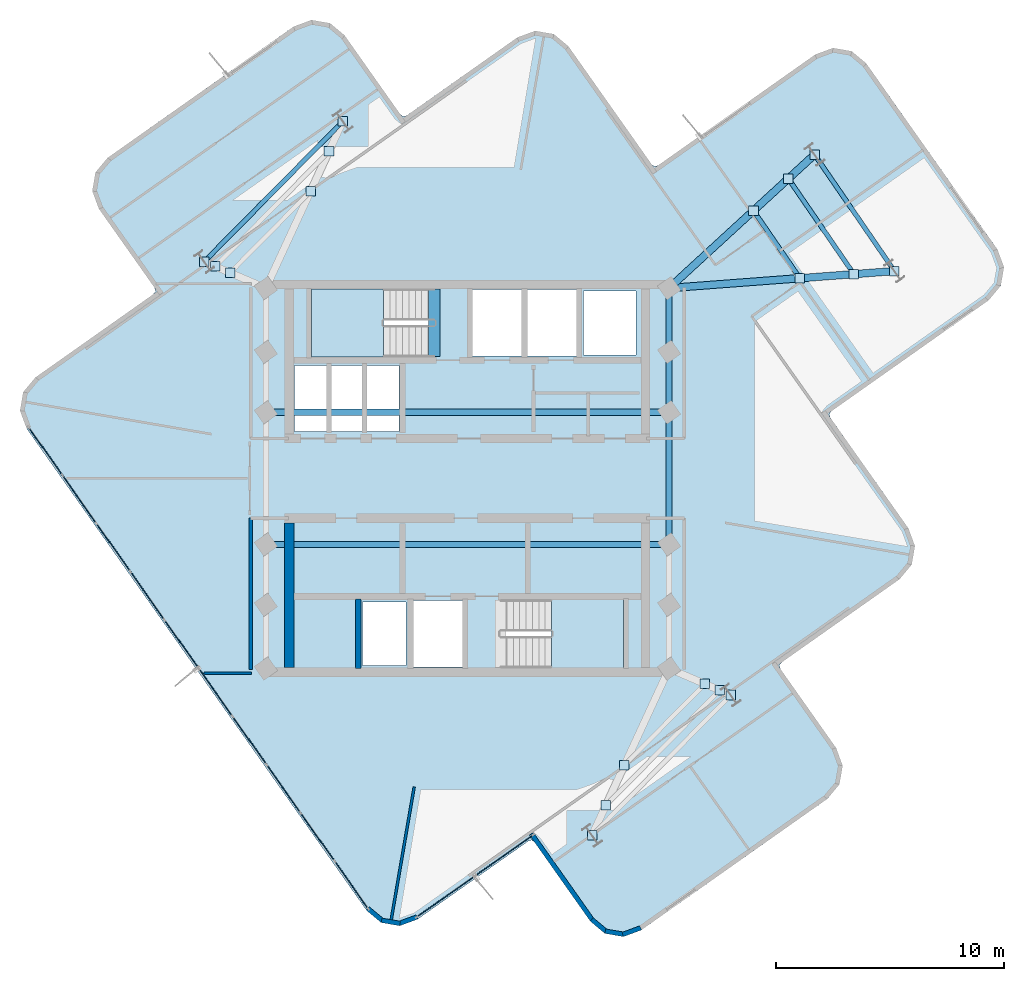
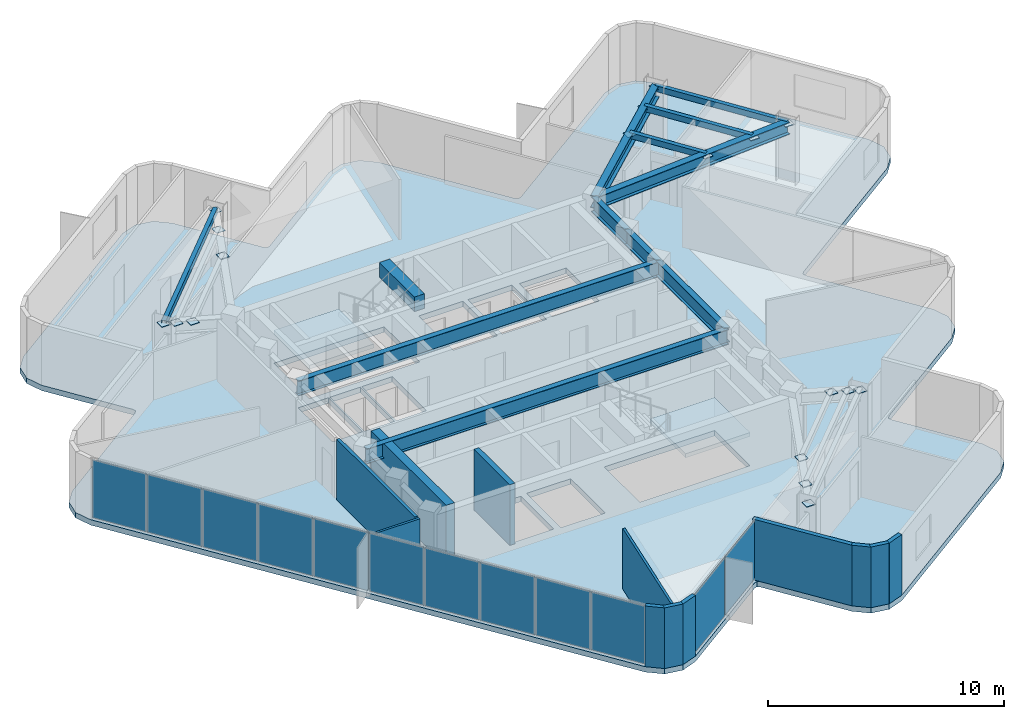
# One storey, part 4 of 9: 30 plates, 12 beams, 12 walls, 3 slabs, 4 elements without a shape of their own.
"""IFC4 building model written with IfcOpenShell, lengths in metres."""

import ifcopenshell
import ifcopenshell.guid

model = None  # the IFC model being written
_history = None  # IfcOwnerHistory: only IFC2X3 demands one
_inside = {}  # id of a spatial element -> (the spatial element, [elements in it])
_under = {}  # id of a project, library or spatial element -> (it, [spatial elements below it])
_declared = {}  # id of a project -> (the project, [libraries it declares])
_typed = {}  # id of a type object -> (the type object, [elements of that type])
_made_of = {}  # id of a material, layer set ... -> (it, [elements and type objects made of it])


def new_model(schema):
    """Start an empty IFC model of exactly this schema.

    Asked for "IFC4X3", IfcOpenShell would pick the latest addendum, in which some entities
    have other attributes; the version numbers below select the first issue.
    IFC2X3 requires an IfcOwnerHistory on every rooted entity: one is made here for all.
    """
    global model, _history
    if schema == "IFC4X3":
        model = ifcopenshell.file(schema_version=(4, 3, 0, 0))
    else:
        model = ifcopenshell.file(schema=schema)
    _inside.clear()
    _under.clear()
    _declared.clear()
    _typed.clear()
    _made_of.clear()
    _history = None
    if model.schema == "IFC2X3":
        org = make("IfcOrganization", Name="unknown")
        user = make(
            "IfcPersonAndOrganization",
            ThePerson=make("IfcPerson", FamilyName="unknown"),
            TheOrganization=org,
        )
        app = make(
            "IfcApplication",
            ApplicationDeveloper=org,
            Version="unknown",
            ApplicationFullName="unknown",
            ApplicationIdentifier="unknown",
        )
        _history = make(
            "IfcOwnerHistory",
            OwningUser=user,
            OwningApplication=app,
            ChangeAction="ADDED",
            CreationDate=0,
        )
    return model


def make(cls, **values):
    """One entity of the class cls with the attributes given. An attribute that is None is left unset."""
    return model.create_entity(
        cls, **{name: value for name, value in values.items() if value is not None}
    )


def rooted(cls, **values):
    """An entity with a GlobalId (a new one), such as an element, a storey or a relation."""
    return make(cls, GlobalId=ifcopenshell.guid.new(), OwnerHistory=_history, **values)


def si_unit(unit_type, name, prefix=None):
    """IfcSIUnit, for example si_unit("LENGTHUNIT", "METRE", prefix="MILLI")."""
    return make("IfcSIUnit", UnitType=unit_type, Prefix=prefix, Name=name)


def assignment(units):
    """IfcUnitAssignment: the units of a project."""
    return None if units is None else make("IfcUnitAssignment", Units=units)


def point(xyz):
    """IfcCartesianPoint."""
    return None if xyz is None else make("IfcCartesianPoint", Coordinates=xyz)


def direction(xyz):
    """IfcDirection."""
    return None if xyz is None else make("IfcDirection", DirectionRatios=xyz)


def frame(location, z_axis=None, x_axis=None):
    """IfcAxis2Placement3D, a coordinate frame: its origin and axes. An axis left out is left unset."""
    return make(
        "IfcAxis2Placement3D",
        Location=point(location),
        Axis=direction(z_axis),
        RefDirection=direction(x_axis),
    )


def frame_2d(location, x_axis=None):
    """IfcAxis2Placement2D, a coordinate frame in the plane: its origin and x axis."""
    return make(
        "IfcAxis2Placement2D", Location=point(location), RefDirection=direction(x_axis)
    )


def origin():
    """The frame at (0, 0, 0) with its axes left unset."""
    return frame((0.0, 0.0, 0.0))


def origin_2d():
    """The frame at (0, 0) in the plane with its x axis left unset."""
    return frame_2d((0.0, 0.0))


def place(relative_to, where):
    """IfcLocalPlacement: puts the frame where relative to a parent placement (None: the world)."""
    return make(
        "IfcLocalPlacement", PlacementRelTo=relative_to, RelativePlacement=where
    )


def context(
    kind, dimensions, precision=None, world=None, true_north=None, identifier=None
):
    """IfcGeometricRepresentationContext, for example the 3D "Model" context."""
    return make(
        "IfcGeometricRepresentationContext",
        ContextIdentifier=identifier,
        ContextType=kind,
        CoordinateSpaceDimension=dimensions,
        Precision=precision,
        WorldCoordinateSystem=world,
        TrueNorth=true_north,
    )


def subcontext(parent, identifier, kind, view, scale=None):
    """IfcGeometricRepresentationSubContext, for example "Body" below "Model"."""
    return make(
        "IfcGeometricRepresentationSubContext",
        ContextIdentifier=identifier,
        ContextType=kind,
        ParentContext=parent,
        TargetScale=scale,
        TargetView=view,
    )


def project(units=None, contexts=None):
    """IfcProject with its units and contexts."""
    return rooted(
        "IfcProject",
        Name="project",
        RepresentationContexts=contexts,
        UnitsInContext=assignment(units),
    )


def spatial(cls, under=None, at=None, **own):
    """A site, building, storey or space (cls), placed at a placement, below another one or the project."""
    s = rooted(cls, ObjectPlacement=at, **own)
    if under is not None:
        _under.setdefault(under.id(), (under, []))[1].append(s)
    return s


def polyline(points):
    """IfcPolyline through the points."""
    return make("IfcPolyline", Points=[point(p) for p in points])


def profile(cls, at=None, kind="AREA", **sizes):
    """A parametric profile (cls). Its sizes go by their IFC names, for example OverallWidth=200.0."""
    return make(cls, ProfileType=kind, Position=at, **sizes)


def rectangle(**sizes):
    """IfcRectangleProfileDef."""
    return profile("IfcRectangleProfileDef", **sizes)


def hollow_rectangle(**sizes):
    """IfcRectangleHollowProfileDef."""
    return profile("IfcRectangleHollowProfileDef", **sizes)


def i_section(**sizes):
    """IfcIShapeProfileDef."""
    return profile("IfcIShapeProfileDef", **sizes)


def outline(outer, holes=None, kind="AREA"):
    """IfcArbitraryClosedProfileDef: a profile drawn as a closed curve; with holes, ...WithVoids."""
    if holes is None:
        return make("IfcArbitraryClosedProfileDef", ProfileType=kind, OuterCurve=outer)
    return make(
        "IfcArbitraryProfileDefWithVoids",
        ProfileType=kind,
        OuterCurve=outer,
        InnerCurves=holes,
    )


def extrude(swept, where, along, depth):
    """IfcExtrudedAreaSolid: the profile swept, set in the frame where, extruded along a direction by depth."""
    return make(
        "IfcExtrudedAreaSolid",
        SweptArea=swept,
        Position=where,
        ExtrudedDirection=direction(along),
        Depth=depth,
    )


def shape(context_of_items, identifier, shape_type, items):
    """IfcShapeRepresentation: the items that make up one representation, for example the "Body"."""
    return make(
        "IfcShapeRepresentation",
        ContextOfItems=context_of_items,
        RepresentationIdentifier=identifier,
        RepresentationType=shape_type,
        Items=items,
    )


def material(Name=None, Category=None):
    """IfcMaterial."""
    return make("IfcMaterial", Name=Name, Category=Category)


def layer(
    of_material, thickness, ventilated=None, Name=None, Category=None, Priority=None
):
    """IfcMaterialLayer: one layer of a wall or slab, of a material (None: an air gap)."""
    return make(
        "IfcMaterialLayer",
        Material=of_material,
        LayerThickness=thickness,
        IsVentilated=ventilated,
        Name=Name,
        Category=Category,
        Priority=Priority,
    )


def layer_set(layers, Name=None):
    """IfcMaterialLayerSet."""
    return make("IfcMaterialLayerSet", MaterialLayers=layers, LayerSetName=Name)


def material_profile(
    of_material, cross_section, Name=None, Category=None, Priority=None
):
    """IfcMaterialProfile: a cross section and its material."""
    return make(
        "IfcMaterialProfile",
        Name=Name,
        Material=of_material,
        Profile=cross_section,
        Priority=Priority,
        Category=Category,
    )


def profile_set(profiles, Name=None, composite=None):
    """IfcMaterialProfileSet."""
    return make(
        "IfcMaterialProfileSet",
        Name=Name,
        MaterialProfiles=profiles,
        CompositeProfile=composite,
    )


def made_of(thing, what):
    """Note that an element or type object is made of a material, layer set ...; save() writes the relation."""
    if what is not None:
        _made_of.setdefault(what.id(), (what, []))[1].append(thing)
    return thing


def type_object(cls, material=None, **own):
    """A type object (cls), such as IfcWallType, which elements share."""
    return made_of(rooted(cls, **own), material)


def element(
    cls,
    number,
    at=None,
    inside=None,
    cuts=None,
    type_object=None,
    material=None,
    context=None,
    identifier="Body",
    shape_type=None,
    held_by="IfcProductDefinitionShape",
    body=None,
    shapes=None,
    **own,
):
    """One element of the class cls, such as IfcWall. Its Tag is "e" and its number.

    at: its placement. inside: the storey or other place that contains it. cuts: it is an
    opening in that element (IfcRelVoidsElement). A single representation is given by context,
    identifier, shape_type and body (its items); several are given by shapes. held_by: the class
    of the entity that holds the representations. save() writes the other relations.
    """
    e = rooted(cls, Tag="e%d" % number, ObjectPlacement=at, **own)
    if body is not None:
        shapes = [shape(context, identifier, shape_type, body)]
    if shapes is not None:
        e.Representation = make(held_by, Representations=shapes)
    if inside is not None:
        _inside.setdefault(inside.id(), (inside, []))[1].append(e)
    if cuts is not None:
        rooted(
            "IfcRelVoidsElement", RelatingBuildingElement=cuts, RelatedOpeningElement=e
        )
    if type_object is not None:
        _typed.setdefault(type_object.id(), (type_object, []))[1].append(e)
    return made_of(e, material)


def aggregate(whole, parts):
    """IfcRelAggregates: a whole, such as a stair, and the parts it consists of."""
    return rooted("IfcRelAggregates", RelatingObject=whole, RelatedObjects=parts)


def save(model, path):
    """Write the relations noted so far, then the file.

    IfcRelAggregates (storeys below a building ...), IfcRelContainedInSpatialStructure (elements
    in a storey), IfcRelDefinesByType, IfcRelAssociatesMaterial and IfcRelDeclares: one each for
    every whole, place, type object, material and project.
    """
    for whole, parts in _under.values():
        aggregate(whole, parts)
    for where, things in _inside.values():
        rooted(
            "IfcRelContainedInSpatialStructure",
            RelatedElements=things,
            RelatingStructure=where,
        )
    for kind, things in _typed.values():
        rooted("IfcRelDefinesByType", RelatedObjects=things, RelatingType=kind)
    for what, things in _made_of.values():
        rooted("IfcRelAssociatesMaterial", RelatedObjects=things, RelatingMaterial=what)
    for by, libraries in _declared.values():
        rooted("IfcRelDeclares", RelatingContext=by, RelatedDefinitions=libraries)
    model.write(path)


model = new_model("IFC4")

# Units and contexts
model_context = context("Model", 3, precision=1e-05, world=origin(), true_north=direction((0.0, 1.0)))
body_context = subcontext(model_context, "Body", "Model", "MODEL_VIEW")
ifc_project = project(units=[si_unit("LENGTHUNIT", "METRE"), si_unit("AREAUNIT", "SQUARE_METRE"), si_unit("VOLUMEUNIT", "CUBIC_METRE"), si_unit("PLANEANGLEUNIT", "RADIAN"), si_unit("MASSUNIT", "GRAM", prefix="KILO")], contexts=[model_context])

# Site, building, storey
site_placement = place(None, origin())
site = spatial("IfcSite", under=ifc_project, at=site_placement, CompositionType="ELEMENT")
building_placement = place(site_placement, origin())
building = spatial("IfcBuilding", under=site, at=building_placement, Name="Solmarez Civic Tower", CompositionType="ELEMENT")
storey_placement = place(building_placement, frame((0.0, 0.0, 222.300048828125)))
storey = spatial("IfcBuildingStorey", under=building, at=storey_placement, Name="L59", CompositionType="ELEMENT", Elevation=222.300048828125)

# Beams
ifc_material_1 = material(Name="Steel S355", Category="steel")
ifc_material_profile_1 = material_profile(ifc_material_1, hollow_rectangle(XDim=0.199951171875, YDim=0.300048828125, WallThickness=0.011962890625, at=origin_2d()), Name="HSS300X200X12")
ifc_profile_set_1 = profile_set([ifc_material_profile_1], Name="Steel S355")
beam_type_1 = type_object("IfcBeamType", Name="BM-JS-HSS300X200", PredefinedType="JOIST", material=ifc_profile_set_1)
beam_1_placement = place(storey_placement, frame((18.740966796875, 9.096923828125, 2.989990234375), z_axis=(-0.565711253315, 0.824603406416, 0.0), x_axis=(-0.824603406416, -0.565711253315, 0.0)))
element("IfcBeam", 1, at=beam_1_placement, inside=storey, type_object=beam_type_1, Name="L59 Secondary Floor Joist BM-L59-EA-T1", PredefinedType="JOIST", context=body_context, shape_type="SweptSolid", body=[
    extrude(hollow_rectangle(XDim=0.199951171875, YDim=0.300048828125, WallThickness=0.011962890625, at=origin_2d()), origin(), (0.0, 0.0, 1.0), 6.199462890625),
])
beam_2_placement = place(storey_placement, frame((14.5869140625, 8.782958984375, 2.989990234375), z_axis=(-0.565666897805, 0.824633834334, 0.0), x_axis=(-0.824633834334, -0.565666897805, 0.0)))
element("IfcBeam", 2, at=beam_2_placement, inside=storey, type_object=beam_type_1, Name="L59 Secondary Floor Joist JS-L59-EA-M11", PredefinedType="JOIST", context=body_context, shape_type="SweptSolid", body=[
    extrude(hollow_rectangle(XDim=0.199951171875, YDim=0.300048828125, WallThickness=0.011962890625, at=origin_2d()), origin(), (0.0, 0.0, 1.0), 3.595703125),
])
beam_3_placement = place(storey_placement, frame((16.9609375, 8.962890625, 2.989990234375), z_axis=(-0.565800880521, 0.824541911367, 0.0), x_axis=(-0.824541911367, -0.565800880521, 0.0)))
element("IfcBeam", 3, at=beam_3_placement, inside=storey, type_object=beam_type_1, Name="L59 Secondary Floor Joist JS-L59-EA-M12", PredefinedType="JOIST", context=body_context, shape_type="SweptSolid", body=[
    extrude(hollow_rectangle(XDim=0.199951171875, YDim=0.300048828125, WallThickness=0.011962890625, at=origin_2d()), origin(), (0.0, 0.0, 1.0), 5.0830078125),
])
beam_4_placement = place(storey_placement, frame((-5.468017578125, 15.6708984375, 2.989990234375), z_axis=(-0.702766092364, -0.711420986072, 0.0), x_axis=(0.711420986072, -0.702766092364, 0.0)))
element("IfcBeam", 4, at=beam_4_placement, inside=storey, type_object=beam_type_1, Name="L59 Secondary Floor Joist BM-L59-NA-T1", PredefinedType="JOIST", context=body_context, shape_type="SweptSolid", body=[
    extrude(hollow_rectangle(XDim=0.199951171875, YDim=0.300048828125, WallThickness=0.011962890625, at=origin_2d()), origin(), (0.0, 0.0, 1.0), 8.659912109375),
])
ifc_material_2 = material(Name="Concrete C50/60", Category="concrete")
ifc_material_profile_2 = material_profile(ifc_material_2, rectangle(XDim=0.5, YDim=0.75, at=origin_2d()), Name="RC500X750")
ifc_profile_set_2 = profile_set([ifc_material_profile_2], Name="Concrete C50/60")
beam_type_2 = type_object("IfcBeamType", Name="BM-PR-RC500X750", PredefinedType="BEAM", material=ifc_profile_set_2)
beam_5_placement = place(storey_placement, frame((-1.449951171875, 5.340087890625, 3.052978515625), z_axis=(0.0, 1.0, 0.0), x_axis=(-1.0, 0.0, 0.0)))
element("IfcBeam", 5, at=beam_5_placement, inside=storey, type_object=beam_type_2, Name="L59 North Stair Threshold Beam", PredefinedType="BEAM", context=body_context, shape_type="SweptSolid", body=[
    extrude(rectangle(XDim=0.5, YDim=0.75, at=origin_2d()), origin(), (0.0, 0.0, 1.0), 2.9599609375),
])
ifc_material_profile_3 = material_profile(ifc_material_1, i_section(OverallWidth=0.327880859375, OverallDepth=0.6220703125, WebThickness=0.015380859375, FlangeThickness=0.0244140625, at=origin_2d()), Name="W24X131")
ifc_profile_set_3 = profile_set([ifc_material_profile_3], Name="Steel S355")
beam_type_3 = type_object("IfcBeamType", Name="BM-PR-W24X131", PredefinedType="BEAM", material=ifc_profile_set_3)
beam_6_placement = place(storey_placement, frame((8.85009765625, 8.35009765625, 2.828857421875), z_axis=(0.997161506076, 0.075292302399, 0.0), x_axis=(-0.075292302399, 0.997161506076, 0.0)))
element("IfcBeam", 6, at=beam_6_placement, inside=storey, type_object=beam_type_3, Name="L59 Primary Floor Beam BM-L59-EA-R1A", PredefinedType="BEAM", context=body_context, shape_type="SweptSolid", body=[
    extrude(i_section(OverallWidth=0.327880859375, OverallDepth=0.6220703125, WebThickness=0.015380859375, FlangeThickness=0.0244140625, at=origin_2d()), origin(), (0.0, 0.0, 1.0), 9.9189453125),
])
beam_7_placement = place(storey_placement, frame((8.85009765625, 8.35009765625, 2.828857421875), z_axis=(0.736746995662, 0.676168517741, 0.0), x_axis=(-0.676168517741, 0.736746995662, 0.0)))
element("IfcBeam", 7, at=beam_7_placement, inside=storey, type_object=beam_type_3, Name="L59 Primary Floor Beam BM-L59-EA-R1B", PredefinedType="BEAM", context=body_context, shape_type="SweptSolid", body=[
    extrude(i_section(OverallWidth=0.327880859375, OverallDepth=0.6220703125, WebThickness=0.015380859375, FlangeThickness=0.0244140625, at=origin_2d()), origin(), (0.0, 0.0, 1.0), 8.664794921875),
])
ifc_material_profile_4 = material_profile(ifc_material_1, i_section(OverallWidth=0.26708984375, OverallDepth=0.761962890625, WebThickness=0.014404296875, FlangeThickness=0.021484375, at=origin_2d()), Name="W30X116")
ifc_profile_set_4 = profile_set([ifc_material_profile_4], Name="Steel S355")
beam_type_4 = type_object("IfcBeamType", Name="BM-PR-W30X116", PredefinedType="BEAM", material=ifc_profile_set_4)
beam_8_placement = place(storey_placement, frame((8.85009765625, -2.89990234375, 2.759033203125), z_axis=(0.0, 1.0, 0.0), x_axis=(-1.0, 0.0, 0.0)))
element("IfcBeam", 8, at=beam_8_placement, inside=storey, type_object=beam_type_4, Name="L59 Primary Floor Beam BM-L59-HC6-HC7", PredefinedType="BEAM", context=body_context, shape_type="SweptSolid", body=[
    extrude(i_section(OverallWidth=0.26708984375, OverallDepth=0.761962890625, WebThickness=0.014404296875, FlangeThickness=0.021484375, at=origin_2d()), origin(), (0.0, 0.0, 1.0), 5.7998046875),
])
beam_9_placement = place(storey_placement, frame((8.85009765625, 2.89990234375, 2.759033203125), z_axis=(0.0, 1.0, 0.0), x_axis=(-1.0, 0.0, 0.0)))
element("IfcBeam", 9, at=beam_9_placement, inside=storey, type_object=beam_type_4, Name="L59 Primary Floor Beam BM-L59-HC7-HC8", PredefinedType="BEAM", context=body_context, shape_type="SweptSolid", body=[
    extrude(i_section(OverallWidth=0.26708984375, OverallDepth=0.761962890625, WebThickness=0.014404296875, FlangeThickness=0.021484375, at=origin_2d()), origin(), (0.0, 0.0, 1.0), 2.650146484375),
])
beam_10_placement = place(storey_placement, frame((8.85009765625, 5.550048828125, 2.759033203125), z_axis=(0.0, 1.0, 0.0), x_axis=(-1.0, 0.0, 0.0)))
element("IfcBeam", 10, at=beam_10_placement, inside=storey, type_object=beam_type_4, Name="L59 Primary Floor Beam BM-L59-HC8-HC11", PredefinedType="BEAM", context=body_context, shape_type="SweptSolid", body=[
    extrude(i_section(OverallWidth=0.26708984375, OverallDepth=0.761962890625, WebThickness=0.014404296875, FlangeThickness=0.021484375, at=origin_2d()), origin(), (0.0, 0.0, 1.0), 2.800048828125),
])
for number, where, z_axis, x_axis, name in (
    (11, (-8.85009765625, -2.89990234375, 2.759033203125), (1.0, 0.0, 0.0), (0.0, 1.0, 0.0), "L59 Primary Floor Beam BM-L59-HC2-HC6"),
    (12, (-8.85009765625, 2.89990234375, 2.759033203125), (1.0, 0.0, 0.0), (0.0, 1.0, 0.0), "L59 Primary Floor Beam BM-L59-HC3-HC7"),
):
    element("IfcBeam", number, at=place(storey_placement, frame(where, z_axis=z_axis, x_axis=x_axis)), inside=storey, type_object=beam_type_4, Name=name, PredefinedType="BEAM", context=body_context, shape_type="SweptSolid", body=[
        extrude(i_section(OverallWidth=0.26708984375, OverallDepth=0.761962890625, WebThickness=0.014404296875, FlangeThickness=0.021484375, at=origin_2d()), origin(), (0.0, 0.0, 1.0), 17.7001953125),
    ])

# Curtain wall, plates
ifc_material_3 = material(Name="Bronze Anodised Aluminium EN AW-6063 T6", Category="aluminium")
ifc_layer_1 = layer(ifc_material_3, 0.1650390625)
ifc_layer_set_1 = layer_set([ifc_layer_1], Name="Bronze Anodised Aluminium EN AW-6063 T6")
curtain_wall_type = type_object("IfcCurtainWallType", Name="CW-SYS-4", PredefinedType="NOTDEFINED", material=ifc_layer_set_1)
curtain_wall_1_placement = place(storey_placement, origin())
curtain_wall_1 = element("IfcCurtainWall", 13, at=curtain_wall_1_placement, inside=storey, type_object=curtain_wall_type, Name="L59 Stick-Built Curtain Wall 1", PredefinedType="NOTDEFINED")
ifc_material_4 = material(Name="Solar Control Low-E Laminated Vision Glass", Category="glass")
ifc_layer_2 = layer(ifc_material_4, 0.0400390625)
ifc_layer_set_2 = layer_set([ifc_layer_2], Name="Solar Control Low-E Laminated Vision Glass")
plate_type_1 = type_object("IfcPlateType", Name="CWP-GLAZ-40", PredefinedType="CURTAIN_PANEL", material=ifc_layer_set_2)
plate_1_placement = place(storey_placement, frame((1.611572265625, -16.545654296875, 0.070068359375), z_axis=(0.0, 0.0, 1.0), x_axis=(-0.817055263895, -0.57655936012, 0.0)))
plate_1 = element("IfcPlate", 14, at=plate_1_placement, type_object=plate_type_1, Name="CWS4 panel 1.1", PredefinedType="CURTAIN_PANEL", context=body_context, shape_type="SweptSolid", body=[
    extrude(rectangle(XDim=3.08056640625, YDim=0.0400390625, at=origin_2d()), origin(), (0.0, 0.0, 1.0), 3.0),
])
plate_2_placement = place(storey_placement, frame((-0.95458984375, -18.3564453125, 0.070068359375), z_axis=(0.0, 0.0, 1.0), x_axis=(-0.817055263895, -0.57655936012, 0.0)))
plate_2 = element("IfcPlate", 15, at=plate_2_placement, type_object=plate_type_1, Name="CWS4 panel 2.1", PredefinedType="CURTAIN_PANEL", context=body_context, shape_type="SweptSolid", body=[
    extrude(rectangle(XDim=3.08056640625, YDim=0.0400390625, at=origin_2d()), origin(), (0.0, 0.0, 1.0), 3.0),
])
aggregate(curtain_wall_1, [plate_1, plate_2])

curtain_wall_2_placement = place(storey_placement, origin())
curtain_wall_2 = element("IfcCurtainWall", 16, at=curtain_wall_2_placement, inside=storey, type_object=curtain_wall_type, Name="L59 Stick-Built Curtain Wall 2", PredefinedType="NOTDEFINED")
plate_3_placement = place(storey_placement, frame((-5.0927734375, -17.849609375, 0.070068359375), z_axis=(0.0, 0.0, 1.0), x_axis=(-0.576407517737, 0.817162391141, 0.0)))
plate_3 = element("IfcPlate", 17, at=plate_3_placement, type_object=plate_type_1, Name="CWS4 panel 1.1", PredefinedType="CURTAIN_PANEL", context=body_context, shape_type="SweptSolid", body=[
    extrude(rectangle(XDim=2.502197265625, YDim=0.0400390625, at=origin_2d()), origin(), (0.0, 0.0, 1.0), 3.0),
])
plate_4_placement = place(storey_placement, frame((-6.578369140625, -15.74365234375, 0.070068359375), z_axis=(0.0, 0.0, 1.0), x_axis=(-0.576407517737, 0.817162391141, 0.0)))
plate_4 = element("IfcPlate", 18, at=plate_4_placement, type_object=plate_type_1, Name="CWS4 panel 2.1", PredefinedType="CURTAIN_PANEL", context=body_context, shape_type="SweptSolid", body=[
    extrude(rectangle(XDim=2.5322265625, YDim=0.0400390625, at=origin_2d()), origin(), (0.0, 0.0, 1.0), 3.0),
])
plate_5_placement = place(storey_placement, frame((-8.072509765625, -13.625244140625, 0.070068359375), z_axis=(0.0, 0.0, 1.0), x_axis=(-0.576407517737, 0.817162391141, 0.0)))
plate_5 = element("IfcPlate", 19, at=plate_5_placement, type_object=plate_type_1, Name="CWS4 panel 3.1", PredefinedType="CURTAIN_PANEL", context=body_context, shape_type="SweptSolid", body=[
    extrude(rectangle(XDim=2.5322265625, YDim=0.0400390625, at=origin_2d()), origin(), (0.0, 0.0, 1.0), 3.0),
])
plate_6_placement = place(storey_placement, frame((-9.566650390625, -11.5068359375, 0.070068359375), z_axis=(0.0, 0.0, 1.0), x_axis=(-0.576407517737, 0.817162391141, 0.0)))
plate_6 = element("IfcPlate", 20, at=plate_6_placement, type_object=plate_type_1, Name="CWS4 panel 4.1", PredefinedType="CURTAIN_PANEL", context=body_context, shape_type="SweptSolid", body=[
    extrude(rectangle(XDim=2.5322265625, YDim=0.0400390625, at=origin_2d()), origin(), (0.0, 0.0, 1.0), 3.0),
])
plate_7_placement = place(storey_placement, frame((-11.060791015625, -9.388671875, 0.070068359375), z_axis=(0.0, 0.0, 1.0), x_axis=(-0.576407517737, 0.817162391141, 0.0)))
plate_7 = element("IfcPlate", 21, at=plate_7_placement, type_object=plate_type_1, Name="CWS4 panel 5.1", PredefinedType="CURTAIN_PANEL", context=body_context, shape_type="SweptSolid", body=[
    extrude(rectangle(XDim=2.5322265625, YDim=0.0400390625, at=origin_2d()), origin(), (0.0, 0.0, 1.0), 3.0),
])
plate_8_placement = place(storey_placement, frame((-12.55517578125, -7.270263671875, 0.070068359375), z_axis=(0.0, 0.0, 1.0), x_axis=(-0.576407517737, 0.817162391141, 0.0)))
plate_8 = element("IfcPlate", 22, at=plate_8_placement, type_object=plate_type_1, Name="CWS4 panel 6.1", PredefinedType="CURTAIN_PANEL", context=body_context, shape_type="SweptSolid", body=[
    extrude(rectangle(XDim=2.5322265625, YDim=0.0400390625, at=origin_2d()), origin(), (0.0, 0.0, 1.0), 3.0),
])
plate_9_placement = place(storey_placement, frame((-14.04931640625, -5.152099609375, 0.070068359375), z_axis=(0.0, 0.0, 1.0), x_axis=(-0.576407517737, 0.817162391141, 0.0)))
plate_9 = element("IfcPlate", 23, at=plate_9_placement, type_object=plate_type_1, Name="CWS4 panel 7.1", PredefinedType="CURTAIN_PANEL", context=body_context, shape_type="SweptSolid", body=[
    extrude(rectangle(XDim=2.5322265625, YDim=0.0400390625, at=origin_2d()), origin(), (0.0, 0.0, 1.0), 3.0),
])
plate_10_placement = place(storey_placement, frame((-15.54345703125, -3.03369140625, 0.070068359375), z_axis=(0.0, 0.0, 1.0), x_axis=(-0.576407517737, 0.817162391141, 0.0)))
plate_10 = element("IfcPlate", 24, at=plate_10_placement, type_object=plate_type_1, Name="CWS4 panel 8.1", PredefinedType="CURTAIN_PANEL", context=body_context, shape_type="SweptSolid", body=[
    extrude(rectangle(XDim=2.5322265625, YDim=0.0400390625, at=origin_2d()), origin(), (0.0, 0.0, 1.0), 3.0),
])
plate_11_placement = place(storey_placement, frame((-17.03759765625, -0.91552734375, 0.070068359375), z_axis=(0.0, 0.0, 1.0), x_axis=(-0.576407517737, 0.817162391141, 0.0)))
plate_11 = element("IfcPlate", 25, at=plate_11_placement, type_object=plate_type_1, Name="CWS4 panel 9.1", PredefinedType="CURTAIN_PANEL", context=body_context, shape_type="SweptSolid", body=[
    extrude(rectangle(XDim=2.5322265625, YDim=0.0400390625, at=origin_2d()), origin(), (0.0, 0.0, 1.0), 3.0),
])
plate_12_placement = place(storey_placement, frame((-18.523193359375, 1.190673828125, 0.070068359375), z_axis=(0.0, 0.0, 1.0), x_axis=(-0.576407517737, 0.817162391141, 0.0)))
plate_12 = element("IfcPlate", 26, at=plate_12_placement, type_object=plate_type_1, Name="CWS4 panel 10.1", PredefinedType="CURTAIN_PANEL", context=body_context, shape_type="SweptSolid", body=[
    extrude(rectangle(XDim=2.502197265625, YDim=0.0400390625, at=origin_2d()), origin(), (0.0, 0.0, 1.0), 3.0),
])
aggregate(curtain_wall_2, [plate_3, plate_4, plate_5, plate_6, plate_7, plate_8, plate_9, plate_10, plate_11, plate_12])

# Plates
ifc_layer_3 = layer(ifc_material_1, 0.02392578125)
ifc_layer_set_3 = layer_set([ifc_layer_3], Name="Steel S355")
plate_type_2 = type_object("IfcPlateType", Name="PLT-CAP-380", PredefinedType="USERDEFINED", material=ifc_layer_set_3)
for number, where, z_axis, x_axis, name in (
    (27, (18.740966796875, 9.096923828125, 2.97802734375), (0.0, 0.0, 1.0), (1.0, 0.0, 0.0), "Steel Member End Cap Plate CAP-BM-L59-EA-T1-0"),
    (28, (15.23388671875, 14.208984375, 2.97802734375), (0.0, 0.0, 1.0), (1.0, 0.0, 0.0), "Steel Member End Cap Plate CAP-BM-L59-EA-T1-1"),
    (29, (14.5869140625, 8.782958984375, 2.97802734375), (0.0, 0.0, 1.0), (1.0, 0.0, 0.0), "Steel Member End Cap Plate CAP-JS-L59-EA-M11-0"),
    (30, (12.552978515625, 11.748046875, 2.97802734375), (0.0, 0.0, 1.0), (1.0, 0.0, 0.0), "Steel Member End Cap Plate CAP-JS-L59-EA-M11-1"),
    (31, (16.9609375, 8.962890625, 2.97802734375), (0.0, 0.0, 1.0), (1.0, 0.0, 0.0), "Steel Member End Cap Plate CAP-JS-L59-EA-M12-0"),
    (32, (14.0849609375, 13.154052734375, 2.97802734375), (0.0, 0.0, 1.0), (1.0, 0.0, 0.0), "Steel Member End Cap Plate CAP-JS-L59-EA-M12-1"),
    (33, (-5.468017578125, 15.6708984375, 2.97802734375), (0.0, 0.0, 1.0), (1.0, 0.0, 0.0), "Steel Member End Cap Plate CAP-BM-L59-NA-T1-0"),
    (34, (-11.553955078125, 9.510009765625, 2.97802734375), (0.0, 0.0, 1.0), (1.0, 0.0, 0.0), "Steel Member End Cap Plate CAP-BM-L59-NA-T1-1"),
    (35, (-6.887939453125, 12.595947265625, 2.97802734375), (0.0, 0.0, 1.0), (1.0, 0.0, 0.0), "Steel Member End Cap Plate CAP-JS-L59-NA-M11-0"),
    (36, (-10.41796875, 9.02294921875, 2.97802734375), (0.0, 0.0, 1.0), (1.0, 0.0, 0.0), "Steel Member End Cap Plate CAP-JS-L59-NA-M11-1"),
    (37, (-6.076904296875, 14.35302734375, 2.97802734375), (0.0, 0.0, 1.0), (1.0, 0.0, 0.0), "Steel Member End Cap Plate CAP-JS-L59-NA-M12-0"),
    (38, (-11.06689453125, 9.301025390625, 2.97802734375), (0.0, 0.0, 1.0), (1.0, 0.0, 0.0), "Steel Member End Cap Plate CAP-JS-L59-NA-M12-1"),
    (39, (5.468017578125, -15.6708984375, 2.97802734375), (0.0, 0.0, 1.0), (1.0, 0.0, 0.0), "Steel Member End Cap Plate CAP-BM-L59-SA-T1-0"),
    (40, (11.553955078125, -9.510009765625, 2.97802734375), (0.0, 0.0, 1.0), (1.0, 0.0, 0.0), "Steel Member End Cap Plate CAP-BM-L59-SA-T1-1"),
    (41, (6.887939453125, -12.595947265625, 2.97802734375), (0.0, 0.0, 1.0), (1.0, 0.0, 0.0), "Steel Member End Cap Plate CAP-JS-L59-SA-M11-0"),
    (42, (10.41796875, -9.02294921875, 2.97802734375), (0.0, 0.0, 1.0), (1.0, 0.0, 0.0), "Steel Member End Cap Plate CAP-JS-L59-SA-M11-1"),
    (43, (6.076904296875, -14.35302734375, 2.97802734375), (0.0, 0.0, 1.0), (1.0, 0.0, 0.0), "Steel Member End Cap Plate CAP-JS-L59-SA-M12-0"),
    (44, (11.06689453125, -9.301025390625, 2.97802734375), (0.0, 0.0, 1.0), (1.0, 0.0, 0.0), "Steel Member End Cap Plate CAP-JS-L59-SA-M12-1"),
):
    element("IfcPlate", number, at=place(storey_placement, frame(where, z_axis=z_axis, x_axis=x_axis)), inside=storey, type_object=plate_type_2, Name=name, ObjectType="CAP_PLATE", PredefinedType="USERDEFINED", context=body_context, shape_type="SweptSolid", body=[
        extrude(rectangle(XDim=0.419921875, YDim=0.419921875, at=origin_2d()), origin(), (0.0, 0.0, 1.0), 0.02392578125),
    ])

# Stair, slab
stair_type = type_object("IfcStairType", Name="STAIR-DOGLEG-140W-18R-1900", PredefinedType="HALF_TURN_STAIR", material=ifc_material_2)
stair_1_placement = place(storey_placement, origin())
stair_1 = element("IfcStair", 45, at=stair_1_placement, inside=storey, type_object=stair_type, Name="L59 North Core Protected Exit Stair ST-1", PredefinedType="HALF_TURN_STAIR")
ifc_layer_4 = layer(ifc_material_2, 0.199951171875)
ifc_layer_set_4 = layer_set([ifc_layer_4], Name="Concrete C50/60")
slab_type_1 = type_object("IfcSlabType", Name="SLAB-LANDING-200", PredefinedType="LANDING", material=ifc_layer_set_4)
slab_1_placement = place(storey_placement, frame((0.0, 0.0, 1.510009765625)))
slab_1 = element("IfcSlab", 46, at=slab_1_placement, type_object=slab_type_1, Name="ST-1 landing 1", PredefinedType="LANDING", context=body_context, shape_type="SweptSolid", body=[
    extrude(outline(polyline([(-3.68994140625, 8.320068359375), (-6.85009765625, 8.320068359375), (-6.85009765625, 5.320068359375), (-3.68994140625, 5.320068359375), (-3.68994140625, 8.320068359375)])), origin(), (0.0, 0.0, 1.0), 0.199951171875),
])
aggregate(stair_1, [slab_1])

stair_2_placement = place(storey_placement, origin())
stair_2 = element("IfcStair", 47, at=stair_2_placement, inside=storey, type_object=stair_type, Name="L59 South Core Protected Exit Stair ST-2", PredefinedType="HALF_TURN_STAIR")
slab_2_placement = place(storey_placement, frame((0.0, 0.0, 1.510009765625)))
slab_2 = element("IfcSlab", 48, at=slab_2_placement, type_object=slab_type_1, Name="ST-2 landing 1", PredefinedType="LANDING", context=body_context, shape_type="SweptSolid", body=[
    extrude(outline(polyline([(3.68994140625, -8.320068359375), (6.85009765625, -8.320068359375), (6.85009765625, -5.320068359375), (3.68994140625, -5.320068359375), (3.68994140625, -8.320068359375)])), origin(), (0.0, 0.0, 1.0), 0.199951171875),
])
aggregate(stair_2, [slab_2])

# Slab
ifc_layer_5 = layer(ifc_material_2, 0.280029296875)
ifc_layer_set_5 = layer_set([ifc_layer_5], Name="Concrete C50/60")
slab_type_2 = type_object("IfcSlabType", Name="SLAB-TOWER-280", PredefinedType="FLOOR", material=ifc_layer_set_5)
slab_3_placement = place(storey_placement, frame((0.0, 0.0, -0.280029296875)))
element("IfcSlab", 49, at=slab_3_placement, inside=storey, type_object=slab_type_2, Name="L59 Structural Slab", PredefinedType="FLOOR", context=body_context, shape_type="SweptSolid", body=[
    extrude(outline(polyline([(2.951904296875, -15.98095703125), (5.39599609375, -19.445068359375), (6.031982421875, -19.97607421875), (6.847900390625, -20.116943359375), (7.625, -19.8310546875), (15.797119140625, -14.06591796875), (16.326904296875, -13.429931640625), (16.468017578125, -12.614013671875), (16.181884765625, -11.8369140625), (13.738037109375, -8.3720703125), (13.678955078125, -8.2109375), (13.7890625, -8.0791015625), (18.968994140625, -4.425048828125), (19.4990234375, -3.7880859375), (19.639892578125, -2.971923828125), (19.35400390625, -2.195068359375), (15.930908203125, 2.657958984375), (15.87109375, 2.820068359375), (15.98095703125, 2.951904296875), (22.8779296875, 7.81689453125), (23.407958984375, 8.452880859375), (23.549072265625, 9.26904296875), (23.262939453125, 10.0458984375), (17.498046875, 18.218017578125), (16.862060546875, 18.748046875), (16.0458984375, 18.888916015625), (15.26904296875, 18.60302734375), (8.3720703125, 13.738037109375), (8.2109375, 13.678955078125), (8.0791015625, 13.7890625), (4.425048828125, 18.968994140625), (3.7880859375, 19.4990234375), (2.971923828125, 19.639892578125), (2.195068359375, 19.35400390625), (-2.657958984375, 15.930908203125), (-2.820068359375, 15.87109375), (-2.951904296875, 15.98095703125), (-5.39599609375, 19.445068359375), (-6.031982421875, 19.97607421875), (-6.847900390625, 20.116943359375), (-7.625, 19.8310546875), (-15.797119140625, 14.06591796875), (-16.326904296875, 13.429931640625), (-16.468017578125, 12.614013671875), (-16.181884765625, 11.8369140625), (-13.738037109375, 8.3720703125), (-13.678955078125, 8.2109375), (-13.7890625, 8.0791015625), (-18.968994140625, 4.425048828125), (-19.4990234375, 3.7880859375), (-19.639892578125, 2.971923828125), (-19.35400390625, 2.195068359375), (-4.425048828125, -18.968994140625), (-3.7880859375, -19.4990234375), (-2.971923828125, -19.639892578125), (-2.195068359375, -19.35400390625), (2.657958984375, -15.930908203125), (2.820068359375, -15.87109375), (2.951904296875, -15.98095703125)]), holes=[polyline([(-1.449951171875, 8.320068359375), (-6.85009765625, 8.320068359375), (-6.85009765625, 5.320068359375), (-1.449951171875, 5.320068359375), (-1.449951171875, 8.320068359375)]), polyline([(1.449951171875, -8.320068359375), (6.85009765625, -8.320068359375), (6.85009765625, -5.320068359375), (1.449951171875, -5.320068359375), (1.449951171875, -8.320068359375)]), polyline([(0.219970703125, 5.360107421875), (2.3798828125, 5.360107421875), (2.3798828125, 8.280029296875), (0.219970703125, 8.280029296875), (0.219970703125, 5.360107421875)]), polyline([(2.6201171875, 5.360107421875), (4.780029296875, 5.360107421875), (4.780029296875, 8.280029296875), (2.6201171875, 8.280029296875), (2.6201171875, 5.360107421875)]), polyline([(-2.3798828125, -8.280029296875), (-0.219970703125, -8.280029296875), (-0.219970703125, -5.360107421875), (-2.3798828125, -5.360107421875), (-2.3798828125, -8.280029296875)]), polyline([(-7.60009765625, 2.06005859375), (-6.1201171875, 2.06005859375), (-6.1201171875, 4.9599609375), (-7.60009765625, 4.9599609375), (-7.60009765625, 2.06005859375)]), polyline([(-6.0400390625, 2.06005859375), (-4.56005859375, 2.06005859375), (-4.56005859375, 4.9599609375), (-6.0400390625, 4.9599609375), (-6.0400390625, 2.06005859375)]), polyline([(-4.47998046875, 2.06005859375), (-3.0, 2.06005859375), (-3.0, 4.9599609375), (-4.47998046875, 4.9599609375), (-4.47998046875, 2.06005859375)]), polyline([(5.10009765625, 5.419921875), (7.39990234375, 5.419921875), (7.39990234375, 8.219970703125), (5.10009765625, 8.219970703125), (5.10009765625, 5.419921875)]), polyline([(-4.60009765625, -8.219970703125), (-2.699951171875, -8.219970703125), (-2.699951171875, -5.419921875), (-4.60009765625, -5.419921875), (-4.60009765625, -8.219970703125)])]), origin(), (0.0, 0.0, 1.0), 0.280029296875),
])

# Walls
ifc_layer_6 = layer(ifc_material_2, 0.39990234375)
ifc_layer_set_6 = layer_set([ifc_layer_6], Name="Concrete C50/60")
wall_type_1 = type_object("IfcWallType", Name="WALL-CORE-400", PredefinedType="SHEAR", material=ifc_layer_set_6)
wall_1_placement = place(storey_placement, frame((-7.820068359375, -8.31005859375, 0.0), z_axis=(0.0, 0.0, 1.0), x_axis=(0.0, 1.0, 0.0)))
element("IfcWall", 50, at=wall_1_placement, inside=storey, type_object=wall_type_1, Name="L59 Split-Core Structural Wall SCW-W-L59", PredefinedType="SHEAR", context=body_context, shape_type="SweptSolid", body=[
    extrude(rectangle(XDim=6.360107421875, YDim=0.39990234375, at=frame_2d((3.18017578125, 0.0))), origin(), (0.0, 0.0, 1.0), 3.139892578125),
])
ifc_material_5 = material(Name="Precast concrete C40/50", Category="concrete")
ifc_layer_7 = layer(ifc_material_5, 0.199951171875)
ifc_layer_set_7 = layer_set([ifc_layer_7], Name="Precast concrete C40/50")
wall_type_2 = type_object("IfcWallType", Name="WALL-EXT-200", PredefinedType="SOLIDWALL", material=ifc_layer_set_7)
wall_2_placement = place(storey_placement, frame((-2.218994140625, -19.256103515625, 0.0), z_axis=(0.0, 0.0, 1.0), x_axis=(-0.938243551417, -0.345975487894, 0.0)))
element("IfcWall", 51, at=wall_2_placement, inside=storey, type_object=wall_type_2, Name="L59 Exterior Precast Wall 3", PredefinedType="SOLIDWALL", context=body_context, shape_type="SweptSolid", body=[
    extrude(rectangle(XDim=0.837646484375, YDim=0.199951171875, at=frame_2d((0.4189453125, 0.0))), origin(), (0.0, 0.0, 1.0), 3.139892578125),
])
wall_3_placement = place(storey_placement, frame((-2.95703125, -19.541015625, 0.0), z_axis=(0.0, 0.0, 1.0), x_axis=(-0.985466949497, 0.169867275979, 0.0)))
element("IfcWall", 52, at=wall_3_placement, inside=storey, type_object=wall_type_2, Name="L59 Exterior Precast Wall 4", PredefinedType="SOLIDWALL", context=body_context, shape_type="SweptSolid", body=[
    extrude(rectangle(XDim=0.824951171875, YDim=0.199951171875, at=frame_2d((0.41259765625, 0.0))), origin(), (0.0, 0.0, 1.0), 3.139892578125),
])
wall_4_placement = place(storey_placement, frame((-3.72607421875, -19.4208984375, 0.0), z_axis=(0.0, 0.0, 1.0), x_axis=(-0.768698761673, 0.639610986305, 0.0)))
element("IfcWall", 53, at=wall_4_placement, inside=storey, type_object=wall_type_2, Name="L59 Exterior Precast Wall 5", PredefinedType="SOLIDWALL", context=body_context, shape_type="SweptSolid", body=[
    extrude(rectangle(XDim=0.837890625, YDim=0.199951171875, at=frame_2d((0.4189453125, 0.0))), origin(), (0.0, 0.0, 1.0), 3.139892578125),
])
wall_5_placement = place(storey_placement, frame((7.60107421875, -19.73193359375, 0.0), z_axis=(0.0, 0.0, 1.0), x_axis=(-0.937664324164, -0.347542249504, 0.0)))
element("IfcWall", 54, at=wall_5_placement, inside=storey, type_object=wall_type_2, Name="L59 Exterior Precast Wall 54", PredefinedType="SOLIDWALL", context=body_context, shape_type="SweptSolid", body=[
    extrude(rectangle(XDim=0.83740234375, YDim=0.199951171875, at=frame_2d((0.418701171875, 0.0))), origin(), (0.0, 0.0, 1.0), 3.139892578125),
])
wall_6_placement = place(storey_placement, frame((6.864013671875, -20.01806640625, 0.0), z_axis=(0.0, 0.0, 1.0), x_axis=(-0.985501046628, 0.16966934636, 0.0)))
element("IfcWall", 55, at=wall_6_placement, inside=storey, type_object=wall_type_2, Name="L59 Exterior Precast Wall 55", PredefinedType="SOLIDWALL", context=body_context, shape_type="SweptSolid", body=[
    extrude(rectangle(XDim=0.825927734375, YDim=0.199951171875, at=frame_2d((0.4130859375, 0.0))), origin(), (0.0, 0.0, 1.0), 3.139892578125),
])
wall_7_placement = place(storey_placement, frame((6.093994140625, -19.89794921875, 0.0), z_axis=(0.0, 0.0, 1.0), x_axis=(-0.767647650908, 0.640872127694, 0.0)))
element("IfcWall", 56, at=wall_7_placement, inside=storey, type_object=wall_type_2, Name="L59 Exterior Precast Wall 56", PredefinedType="SOLIDWALL", context=body_context, shape_type="SweptSolid", body=[
    extrude(rectangle(XDim=0.837646484375, YDim=0.199951171875, at=frame_2d((0.4189453125, 0.0))), origin(), (0.0, 0.0, 1.0), 3.139892578125),
])
wall_8_placement = place(storey_placement, frame((5.48388671875, -19.39697265625, 0.0), z_axis=(0.0, 0.0, 1.0), x_axis=(-0.576451897958, 0.817131084551, 0.0)))
element("IfcWall", 57, at=wall_8_placement, inside=storey, type_object=wall_type_2, Name="L59 Exterior Precast Wall 57", PredefinedType="SOLIDWALL", context=body_context, shape_type="SweptSolid", body=[
    extrude(rectangle(XDim=4.641845703125, YDim=0.199951171875, at=frame_2d((2.32080078125, 0.0))), origin(), (0.0, 0.0, 1.0), 3.139892578125),
])
ifc_material_6 = material(Name="Gypsum Board Acoustic Steel-Stud Partition", Category="steel")
ifc_layer_8 = layer(ifc_material_6, 0.14990234375)
ifc_layer_set_8 = layer_set([ifc_layer_8], Name="Gypsum Board Acoustic Steel-Stud Partition")
wall_type_3 = type_object("IfcWallType", Name="WALL-INT-FIRE-150", PredefinedType="PARTITIONING", material=ifc_layer_set_8)
wall_9_placement = place(storey_placement, frame((-9.52001953125, -8.3798828125, 0.0), z_axis=(0.0, 0.0, 1.0), x_axis=(0.0, 1.0, 0.0)))
element("IfcWall", 58, at=wall_9_placement, inside=storey, type_object=wall_type_3, Name="L59 Interior Partition CHW-L59-WS1", PredefinedType="PARTITIONING", context=body_context, shape_type="SweptSolid", body=[
    extrude(rectangle(XDim=6.6298828125, YDim=0.14990234375, at=frame_2d((3.31494140625, 0.0))), origin(), (0.0, 0.0, 1.0), 3.139892578125),
])
ifc_layer_9 = layer(ifc_material_6, 0.110107421875)
ifc_layer_set_9 = layer_set([ifc_layer_9], Name="Gypsum Board Acoustic Steel-Stud Partition")
wall_type_4 = type_object("IfcWallType", Name="WALL-INT-PART-110", PredefinedType="PARTITIONING", material=ifc_layer_set_9)
wall_10_placement = place(storey_placement, frame((-11.572998046875, -8.550048828125, 0.0), z_axis=(0.0, 0.0, 1.0), x_axis=(1.0, 0.0, 0.0)))
element("IfcWall", 59, at=wall_10_placement, inside=storey, type_object=wall_type_4, Name="L59 Interior Partition PT-L59-WH-BS", PredefinedType="PARTITIONING", context=body_context, shape_type="SweptSolid", body=[
    extrude(rectangle(XDim=2.093017578125, YDim=0.110107421875, at=frame_2d((1.04638671875, 0.0))), origin(), (0.0, 0.0, 1.0), 3.139892578125),
])
wall_11_placement = place(storey_placement, frame((-2.337890625, -13.5400390625, 0.0), z_axis=(0.0, 0.0, 1.0), x_axis=(-0.1703339471, -0.9853863945, 0.0)))
element("IfcWall", 60, at=wall_11_placement, inside=storey, type_object=wall_type_4, Name="L59 Interior Partition PT-L59-QDIV-3", PredefinedType="PARTITIONING", context=body_context, shape_type="SweptSolid", body=[
    extrude(rectangle(XDim=5.953857421875, YDim=0.110107421875, at=frame_2d((2.97705078125, 0.0))), origin(), (0.0, 0.0, 1.0), 3.139892578125),
])
ifc_layer_10 = layer(ifc_material_2, 0.300048828125)
ifc_layer_set_10 = layer_set([ifc_layer_10], Name="Concrete C50/60")
wall_type_5 = type_object("IfcWallType", Name="WALL-STR-300", PredefinedType="SOLIDWALL", material=ifc_layer_set_10)
wall_12_placement = place(storey_placement, frame((-4.800048828125, -8.340087890625, 0.0), z_axis=(0.0, 0.0, 1.0), x_axis=(0.0, 1.0, 0.0)))
element("IfcWall", 61, at=wall_12_placement, inside=storey, type_object=wall_type_5, Name="L59 Split-Core Structural Wall SHW-S3-L59", PredefinedType="SOLIDWALL", context=body_context, shape_type="SweptSolid", body=[
    extrude(rectangle(XDim=3.0400390625, YDim=0.25, at=frame_2d((1.52001953125, 0.0))), origin(), (0.0, 0.0, 1.0), 3.139892578125),
])

save(model, "model.ifc")
